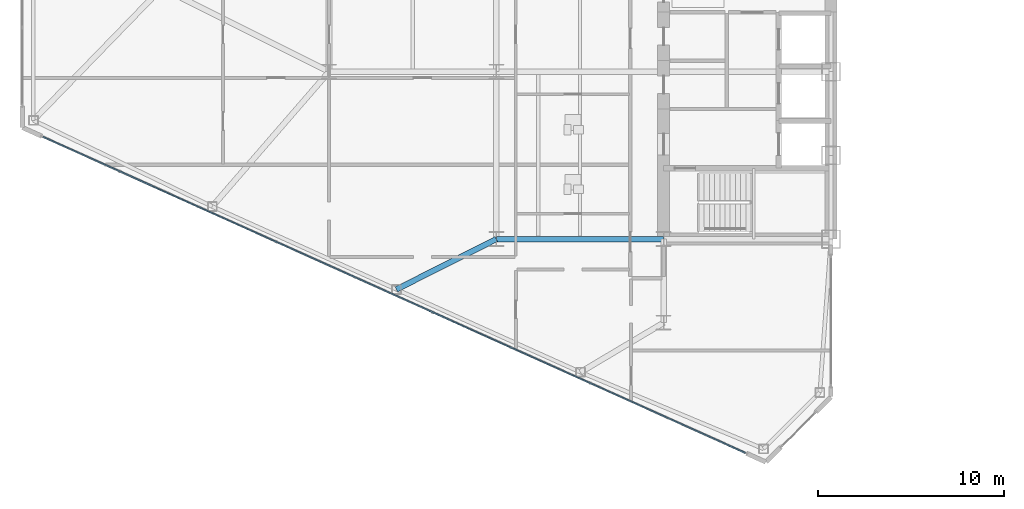
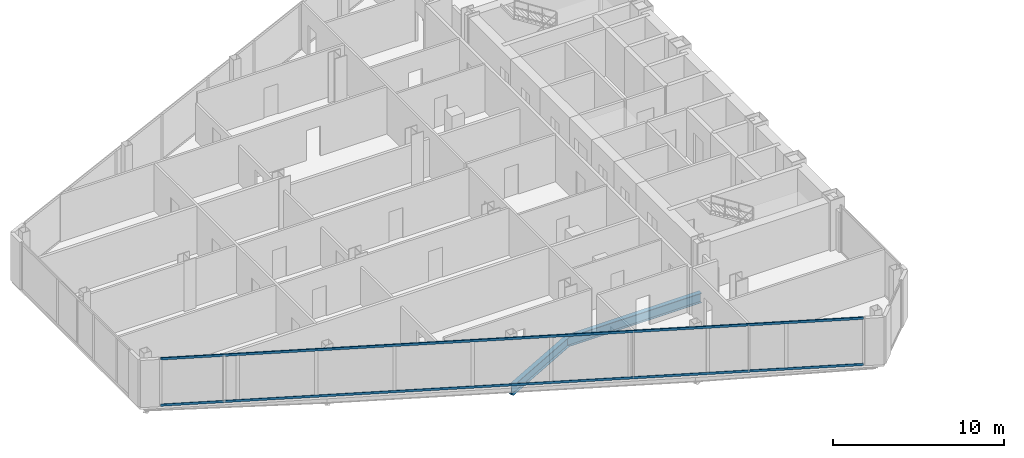
# One storey, part 4 of 27: 2 beams, 2 members, 1 element without a shape of its own.
"""IFC4 building model written with IfcOpenShell, lengths in metres."""

from ifc_helpers import new_model, si_unit, direction, frame, origin, origin_2d, place, context, subcontext, project, spatial, rectangle, i_section, extrude, source, transform, mapped, material, layer, layer_set, material_profile, profile_set, type_object, type_shapes, element, aggregate, save


model = new_model("IFC4")

# Units and contexts
model_context = context("Model", 3, precision=1e-05, world=origin(), true_north=direction((0.0, 1.0)))
body_context = subcontext(model_context, "Body", "Model", "MODEL_VIEW")
ifc_project = project(units=[si_unit("LENGTHUNIT", "METRE"), si_unit("AREAUNIT", "SQUARE_METRE"), si_unit("VOLUMEUNIT", "CUBIC_METRE"), si_unit("PLANEANGLEUNIT", "RADIAN"), si_unit("MASSUNIT", "GRAM", prefix="KILO")], contexts=[model_context])

# Site, building, storey
site_placement = place(None, origin())
site = spatial("IfcSite", under=ifc_project, at=site_placement, CompositionType="ELEMENT")
building_placement = place(site_placement, origin())
building = spatial("IfcBuilding", under=site, at=building_placement, Name="Seokmaru Belvedere", CompositionType="ELEMENT")
storey_placement = place(building_placement, frame((0.0, 0.0, 72.89990234375)))
storey = spatial("IfcBuildingStorey", under=building, at=storey_placement, Name="L19", CompositionType="ELEMENT", Elevation=72.89990234375)

# Beams
ifc_material_1 = material(Name="Steel SM355 (355 MPa)", Category="steel")
ifc_material_profile_1 = material_profile(ifc_material_1, i_section(OverallWidth=0.300048828125, OverallDepth=0.699951171875, WebThickness=0.012939453125, FlangeThickness=0.02392578125, at=origin_2d()), Name="H-700x300x13x24")
ifc_profile_set_1 = profile_set([ifc_material_profile_1], Name="Steel SM355 (355 MPa)")
beam_type = type_object("IfcBeamType", Name="Primary Floor Girder H-700", PredefinedType="BEAM", material=ifc_profile_set_1)
shared_shape_1 = source(origin(), body_context, "Body", "SweptSolid", [
    extrude(i_section(OverallWidth=0.300048828125, OverallDepth=0.699951171875, WebThickness=0.012939453125, FlangeThickness=0.02392578125, at=origin_2d()), origin(), (0.0, 0.0, 1.0), 9.0),
])
beam_1_placement = place(storey_placement, frame((-45.5, -13.5, -0.56982421875), z_axis=(1.0, 0.0, 0.0), x_axis=(0.0, 1.0, 0.0)))
element("IfcBeam", 1, at=beam_1_placement, inside=storey, type_object=beam_type, Name="L19 W Wing Primary Girder 1", PredefinedType="BEAM", context=body_context, shape_type="MappedRepresentation", body=[
    mapped(shared_shape_1, transform((0.0, 0.0, 0.0), scale=1.0)),
])
shared_shape_2 = source(origin(), body_context, "Body", "SweptSolid", [
    extrude(i_section(OverallWidth=0.300048828125, OverallDepth=0.699951171875, WebThickness=0.012939453125, FlangeThickness=0.02392578125, at=origin_2d()), origin(), (0.0, 0.0, 1.0), 6.017333984375),
])
type_shapes(beam_type, [shared_shape_1, shared_shape_2])
beam_2_placement = place(storey_placement, frame((-50.875, -16.205322265625, -0.56982421875), z_axis=(0.893239341975, 0.449581447512, 0.0), x_axis=(-0.449581447512, 0.893239341975, 0.0)))
element("IfcBeam", 2, at=beam_2_placement, inside=storey, type_object=beam_type, Name="L19 W Flank Radial Floor Girder S-2", PredefinedType="BEAM", context=body_context, shape_type="MappedRepresentation", body=[
    mapped(shared_shape_2, transform((0.0, 0.0, 0.0), scale=1.0)),
])

# Curtain wall, members
ifc_material_2 = material(Name="Bronze Triple Insulating Glass", Category="glass")
ifc_layer = layer(ifc_material_2, 0.195068359375)
ifc_layer_set = layer_set([ifc_layer], Name="Bronze Triple Insulating Glass")
curtain_wall_type = type_object("IfcCurtainWallType", Name="Lower-Mid Tapered Curtain Wall System CW-3", PredefinedType="NOTDEFINED", material=ifc_layer_set)
curtain_wall_placement = place(storey_placement, origin())
curtain_wall = element("IfcCurtainWall", 3, at=curtain_wall_placement, inside=storey, type_object=curtain_wall_type, Name="L19 Curtain Wall WF5", PredefinedType="NOTDEFINED")
ifc_material_3 = material(Name="Anodised Bronze Aluminium", Category="aluminium")
ifc_material_profile_2 = material_profile(ifc_material_3, rectangle(XDim=0.070068359375, YDim=0.1650390625, at=origin_2d()), Name="CW-T-70x165")
ifc_profile_set_2 = profile_set([ifc_material_profile_2], Name="Anodised Bronze Aluminium")
member_type = type_object("IfcMemberType", Name="Bronze Unitised Transom 70x165", PredefinedType="USERDEFINED", material=ifc_profile_set_2)
shared_shape_3 = source(origin(), body_context, "Body", "SweptSolid", [
    extrude(rectangle(XDim=0.070068359375, YDim=0.1650390625, at=origin_2d()), origin(), (0.0, 0.0, 1.0), 41.423583984375),
])
type_shapes(member_type, [shared_shape_3])
member_1_placement = place(storey_placement, frame((-69.887451171875, -8.00048828125, 0.03515625), z_axis=(0.911918637916, -0.410371048956, 0.0), x_axis=(0.410371048956, 0.911918637916, 0.0)))
member_1 = element("IfcMember", 4, at=member_1_placement, type_object=member_type, Name="CW:L19:WF5 Continuous Transom 1", ObjectType="TRANSOM", PredefinedType="USERDEFINED", context=body_context, shape_type="MappedRepresentation", body=[
    mapped(shared_shape_3, transform((0.0, 0.0, 0.0), scale=1.0)),
])
member_2_placement = place(storey_placement, frame((-69.887451171875, -8.00048828125, 3.34521484375), z_axis=(0.911918637916, -0.410371048956, 0.0), x_axis=(0.410371048956, 0.911918637916, 0.0)))
member_2 = element("IfcMember", 5, at=member_2_placement, type_object=member_type, Name="CW:L19:WF5 Continuous Transom 2", ObjectType="TRANSOM", PredefinedType="USERDEFINED", context=body_context, shape_type="MappedRepresentation", body=[
    mapped(shared_shape_3, transform((0.0, 0.0, 0.0), scale=1.0)),
])
aggregate(curtain_wall, [member_1, member_2])

save(model, "model.ifc")
